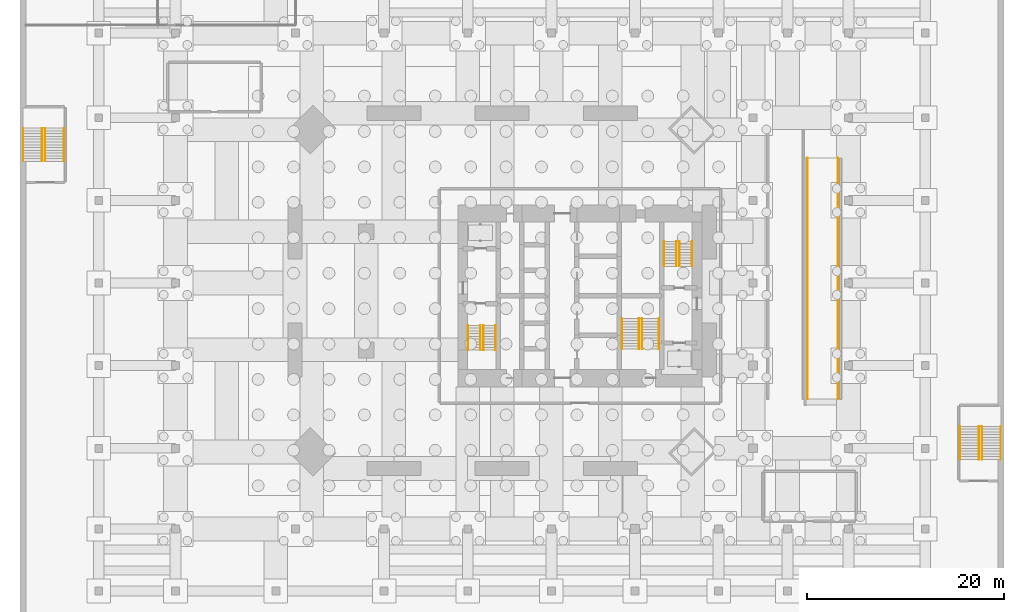
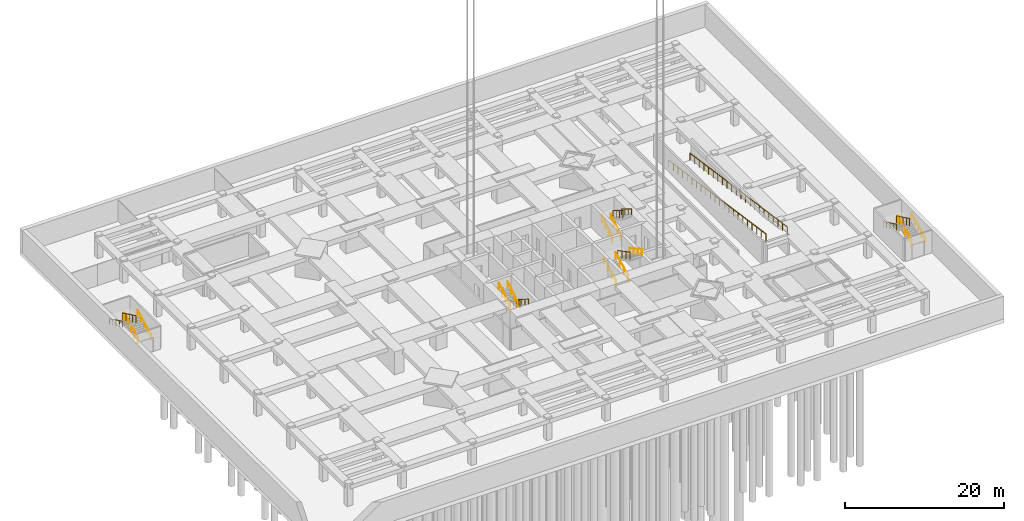
# One storey, part 14 of 15: 22 railings.
"""IFC4 building model written with IfcOpenShell, lengths in metres."""

from ifc_helpers import new_model, si_unit, direction, frame, origin, origin_2d, place, context, subcontext, project, spatial, rectangle, circle, extrude, material, constituent, constituent_set, type_object, element, save


model = new_model("IFC4")

# Units and contexts
model_context = context("Model", 3, precision=1e-05, world=origin(), true_north=direction((0.0, 1.0)))
body_context = subcontext(model_context, "Body", "Model", "MODEL_VIEW")
ifc_project = project(units=[si_unit("LENGTHUNIT", "METRE"), si_unit("AREAUNIT", "SQUARE_METRE"), si_unit("VOLUMEUNIT", "CUBIC_METRE"), si_unit("PLANEANGLEUNIT", "RADIAN"), si_unit("MASSUNIT", "GRAM", prefix="KILO")], contexts=[model_context])

# Site, building, storey
site_placement = place(None, origin())
site = spatial("IfcSite", under=ifc_project, at=site_placement, CompositionType="ELEMENT")
building_placement = place(site_placement, origin())
building = spatial("IfcBuilding", under=site, at=building_placement, Name="Jalousie Tower", CompositionType="ELEMENT")
storey_placement = place(building_placement, frame((0.0, 0.0, -7.5)))
storey = spatial("IfcBuildingStorey", under=building, at=storey_placement, Name="B2", CompositionType="ELEMENT", Elevation=-7.5)

# Railings
ifc_material_1 = material(Name="Steel ASTM A500 Grade C", Category="steel")
ifc_constituent_1 = constituent(ifc_material_1, Name="Body")
ifc_material_2 = material(Name="Hot-dip galvanised zinc coating")
ifc_constituent_2 = constituent(ifc_material_2, Name="Finish")
ifc_constituent_set_1 = constituent_set(constituents=[ifc_constituent_1, ifc_constituent_2])
railing_type_1 = type_object("IfcRailingType", Name="RAMP GUARD 1100", PredefinedType="GUARDRAIL", material=ifc_constituent_set_1)
railing_1_placement = place(storey_placement, frame((55.050048828125, 32.5, 0.0)))
element("IfcRailing", 1, at=railing_1_placement, inside=storey, type_object=railing_type_1, Name="Car ramp 2 edge guard west", PredefinedType="GUARDRAIL", context=body_context, shape_type="SweptSolid", body=[
    extrude(rectangle(XDim=0.048095703125, YDim=0.048095703125, at=origin_2d()), frame((0.0, 0.0, 1.076171875), z_axis=(0.0, -0.989949493661, 0.141421356237), x_axis=(1.0, 0.0, 0.0)), (0.0, 0.0, 1.0), 24.748779296875),
    extrude(circle(Radius=0.02099609375, at=origin_2d()), origin(), (0.0, 0.0, 1.0), 1.052001953125),
    extrude(circle(Radius=0.02099609375, at=origin_2d()), frame((0.0, -1.166748046875, 0.166748046875)), (0.0, 0.0, 1.0), 1.052001953125),
    extrude(circle(Radius=0.02099609375, at=origin_2d()), frame((0.0, -2.333251953125, 0.333251953125)), (0.0, 0.0, 1.0), 1.052001953125),
    extrude(circle(Radius=0.02099609375, at=origin_2d()), frame((0.0, -3.5, 0.5)), (0.0, 0.0, 1.0), 1.052001953125),
    extrude(circle(Radius=0.02099609375, at=origin_2d()), frame((0.0, -4.666748046875, 0.666748046875)), (0.0, 0.0, 1.0), 1.052001953125),
    extrude(circle(Radius=0.02099609375, at=origin_2d()), frame((0.0, -5.833251953125, 0.833251953125)), (0.0, 0.0, 1.0), 1.052001953125),
    extrude(circle(Radius=0.02099609375, at=origin_2d()), frame((0.0, -7.0, 1.0)), (0.0, 0.0, 1.0), 1.052001953125),
    extrude(circle(Radius=0.02099609375, at=origin_2d()), frame((0.0, -8.166748046875, 1.166748046875)), (0.0, 0.0, 1.0), 1.052001953125),
    extrude(circle(Radius=0.02099609375, at=origin_2d()), frame((0.0, -9.333251953125, 1.333251953125)), (0.0, 0.0, 1.0), 1.052001953125),
    extrude(circle(Radius=0.02099609375, at=origin_2d()), frame((0.0, -10.5, 1.5)), (0.0, 0.0, 1.0), 1.052001953125),
    extrude(circle(Radius=0.02099609375, at=origin_2d()), frame((0.0, -11.666748046875, 1.666748046875)), (0.0, 0.0, 1.0), 1.052001953125),
    extrude(circle(Radius=0.02099609375, at=origin_2d()), frame((0.0, -12.833251953125, 1.833251953125)), (0.0, 0.0, 1.0), 1.052001953125),
    extrude(circle(Radius=0.02099609375, at=origin_2d()), frame((0.0, -14.0, 2.0)), (0.0, 0.0, 1.0), 1.052001953125),
    extrude(circle(Radius=0.02099609375, at=origin_2d()), frame((0.0, -15.166748046875, 2.166748046875)), (0.0, 0.0, 1.0), 1.052001953125),
    extrude(circle(Radius=0.02099609375, at=origin_2d()), frame((0.0, -16.333251953125, 2.333251953125)), (0.0, 0.0, 1.0), 1.052001953125),
    extrude(circle(Radius=0.02099609375, at=origin_2d()), frame((0.0, -17.5, 2.5)), (0.0, 0.0, 1.0), 1.052001953125),
    extrude(circle(Radius=0.02099609375, at=origin_2d()), frame((0.0, -18.666748046875, 2.666748046875)), (0.0, 0.0, 1.0), 1.052001953125),
    extrude(circle(Radius=0.02099609375, at=origin_2d()), frame((0.0, -19.833251953125, 2.833251953125)), (0.0, 0.0, 1.0), 1.052001953125),
    extrude(circle(Radius=0.02099609375, at=origin_2d()), frame((0.0, -21.0, 3.0)), (0.0, 0.0, 1.0), 1.052001953125),
    extrude(circle(Radius=0.02099609375, at=origin_2d()), frame((0.0, -22.166748046875, 3.166748046875)), (0.0, 0.0, 1.0), 1.052001953125),
    extrude(circle(Radius=0.02099609375, at=origin_2d()), frame((0.0, -23.333251953125, 3.333251953125)), (0.0, 0.0, 1.0), 1.052001953125),
    extrude(circle(Radius=0.02099609375, at=origin_2d()), frame((0.0, -24.5, 3.5)), (0.0, 0.0, 1.0), 1.052001953125),
])
railing_2_placement = place(storey_placement, frame((58.14990234375, 32.5, 0.0)))
element("IfcRailing", 2, at=railing_2_placement, inside=storey, type_object=railing_type_1, Name="Car ramp 2 edge guard east", PredefinedType="GUARDRAIL", context=body_context, shape_type="SweptSolid", body=[
    extrude(rectangle(XDim=0.048095703125, YDim=0.048095703125, at=origin_2d()), frame((0.0, 0.0, 1.076171875), z_axis=(0.0, -0.989949493661, 0.141421356237), x_axis=(1.0, 0.0, 0.0)), (0.0, 0.0, 1.0), 24.748779296875),
    extrude(circle(Radius=0.02099609375, at=origin_2d()), origin(), (0.0, 0.0, 1.0), 1.052001953125),
    extrude(circle(Radius=0.02099609375, at=origin_2d()), frame((0.0, -1.166748046875, 0.166748046875)), (0.0, 0.0, 1.0), 1.052001953125),
    extrude(circle(Radius=0.02099609375, at=origin_2d()), frame((0.0, -2.333251953125, 0.333251953125)), (0.0, 0.0, 1.0), 1.052001953125),
    extrude(circle(Radius=0.02099609375, at=origin_2d()), frame((0.0, -3.5, 0.5)), (0.0, 0.0, 1.0), 1.052001953125),
    extrude(circle(Radius=0.02099609375, at=origin_2d()), frame((0.0, -4.666748046875, 0.666748046875)), (0.0, 0.0, 1.0), 1.052001953125),
    extrude(circle(Radius=0.02099609375, at=origin_2d()), frame((0.0, -5.833251953125, 0.833251953125)), (0.0, 0.0, 1.0), 1.052001953125),
    extrude(circle(Radius=0.02099609375, at=origin_2d()), frame((0.0, -7.0, 1.0)), (0.0, 0.0, 1.0), 1.052001953125),
    extrude(circle(Radius=0.02099609375, at=origin_2d()), frame((0.0, -8.166748046875, 1.166748046875)), (0.0, 0.0, 1.0), 1.052001953125),
    extrude(circle(Radius=0.02099609375, at=origin_2d()), frame((0.0, -9.333251953125, 1.333251953125)), (0.0, 0.0, 1.0), 1.052001953125),
    extrude(circle(Radius=0.02099609375, at=origin_2d()), frame((0.0, -10.5, 1.5)), (0.0, 0.0, 1.0), 1.052001953125),
    extrude(circle(Radius=0.02099609375, at=origin_2d()), frame((0.0, -11.666748046875, 1.666748046875)), (0.0, 0.0, 1.0), 1.052001953125),
    extrude(circle(Radius=0.02099609375, at=origin_2d()), frame((0.0, -12.833251953125, 1.833251953125)), (0.0, 0.0, 1.0), 1.052001953125),
    extrude(circle(Radius=0.02099609375, at=origin_2d()), frame((0.0, -14.0, 2.0)), (0.0, 0.0, 1.0), 1.052001953125),
    extrude(circle(Radius=0.02099609375, at=origin_2d()), frame((0.0, -15.166748046875, 2.166748046875)), (0.0, 0.0, 1.0), 1.052001953125),
    extrude(circle(Radius=0.02099609375, at=origin_2d()), frame((0.0, -16.333251953125, 2.333251953125)), (0.0, 0.0, 1.0), 1.052001953125),
    extrude(circle(Radius=0.02099609375, at=origin_2d()), frame((0.0, -17.5, 2.5)), (0.0, 0.0, 1.0), 1.052001953125),
    extrude(circle(Radius=0.02099609375, at=origin_2d()), frame((0.0, -18.666748046875, 2.666748046875)), (0.0, 0.0, 1.0), 1.052001953125),
    extrude(circle(Radius=0.02099609375, at=origin_2d()), frame((0.0, -19.833251953125, 2.833251953125)), (0.0, 0.0, 1.0), 1.052001953125),
    extrude(circle(Radius=0.02099609375, at=origin_2d()), frame((0.0, -21.0, 3.0)), (0.0, 0.0, 1.0), 1.052001953125),
    extrude(circle(Radius=0.02099609375, at=origin_2d()), frame((0.0, -22.166748046875, 3.166748046875)), (0.0, 0.0, 1.0), 1.052001953125),
    extrude(circle(Radius=0.02099609375, at=origin_2d()), frame((0.0, -23.333251953125, 3.333251953125)), (0.0, 0.0, 1.0), 1.052001953125),
    extrude(circle(Radius=0.02099609375, at=origin_2d()), frame((0.0, -24.5, 3.5)), (0.0, 0.0, 1.0), 1.052001953125),
])
ifc_material_3 = material(Name="Steel ASTM A500 Grade C", Category="steel")
ifc_constituent_3 = constituent(ifc_material_3, Name="Body")
ifc_material_4 = material(Name="Hot-dip galvanised zinc coating")
ifc_constituent_4 = constituent(ifc_material_4, Name="Finish")
ifc_constituent_set_2 = constituent_set(constituents=[ifc_constituent_3, ifc_constituent_4])
railing_type_2 = type_object("IfcRailingType", Name="STAIR GUARD 1100", PredefinedType="GUARDRAIL", material=ifc_constituent_set_2)
railing_3_placement = place(storey_placement, frame((22.092529296875, 15.49755859375, 0.175048828125)))
element("IfcRailing", 3, at=railing_3_placement, inside=storey, type_object=railing_type_2, Name="Exit stair A guard B2 flight 1", PredefinedType="GUARDRAIL", context=body_context, shape_type="SweptSolid", body=[
    extrude(rectangle(XDim=0.048095703125, YDim=0.048095703125, at=origin_2d()), frame((0.0, 0.0, 1.076171875), z_axis=(0.0, -0.848007534815, 0.529984170421), x_axis=(1.0, 0.0, 0.0)), (0.0, 0.0, 1.0), 2.9716796875),
    extrude(circle(Radius=0.02099609375, at=origin_2d()), origin(), (0.0, 0.0, 1.0), 1.052001953125),
    extrude(circle(Radius=0.02099609375, at=origin_2d()), frame((0.0, -0.840087890625, 0.52490234375)), (0.0, 0.0, 1.0), 1.052001953125),
    extrude(circle(Radius=0.02099609375, at=origin_2d()), frame((0.0, -1.679931640625, 1.050048828125)), (0.0, 0.0, 1.0), 1.052001953125),
    extrude(circle(Radius=0.02099609375, at=origin_2d()), frame((0.0, -2.52001953125, 1.574951171875)), (0.0, 0.0, 1.0), 1.052001953125),
])
for number, where, name in (
    (4, (20.52978515625, 12.9775390625, 1.925048828125), "Exit stair A guard B2 flight 2"),
    (5, (40.455078125, 21.50244140625, 0.175048828125), "Exit stair B guard B2 flight 1"),
):
    element("IfcRailing", number, at=place(storey_placement, frame(where)), inside=storey, type_object=railing_type_2, Name=name, PredefinedType="GUARDRAIL", context=body_context, shape_type="SweptSolid", body=[
        extrude(rectangle(XDim=0.048095703125, YDim=0.048095703125, at=origin_2d()), frame((0.0, 0.0, 1.076171875), z_axis=(0.0, 0.848007534815, 0.529984170421), x_axis=(-1.0, 0.0, 0.0)), (0.0, 0.0, 1.0), 2.9716796875),
        extrude(circle(Radius=0.02099609375, at=origin_2d()), origin(), (0.0, 0.0, 1.0), 1.052001953125),
        extrude(circle(Radius=0.02099609375, at=origin_2d()), frame((0.0, 0.840087890625, 0.52490234375)), (0.0, 0.0, 1.0), 1.052001953125),
        extrude(circle(Radius=0.02099609375, at=origin_2d()), frame((0.0, 1.679931640625, 1.050048828125)), (0.0, 0.0, 1.0), 1.052001953125),
        extrude(circle(Radius=0.02099609375, at=origin_2d()), frame((0.0, 2.52001953125, 1.574951171875)), (0.0, 0.0, 1.0), 1.052001953125),
    ])
railing_4_placement = place(storey_placement, frame((42.017578125, 24.0224609375, 1.925048828125)))
element("IfcRailing", 6, at=railing_4_placement, inside=storey, type_object=railing_type_2, Name="Exit stair B guard B2 flight 2", PredefinedType="GUARDRAIL", context=body_context, shape_type="SweptSolid", body=[
    extrude(rectangle(XDim=0.048095703125, YDim=0.048095703125, at=origin_2d()), frame((0.0, 0.0, 1.076171875), z_axis=(0.0, -0.848007534815, 0.529984170421), x_axis=(1.0, 0.0, 0.0)), (0.0, 0.0, 1.0), 2.9716796875),
    extrude(circle(Radius=0.02099609375, at=origin_2d()), origin(), (0.0, 0.0, 1.0), 1.052001953125),
    extrude(circle(Radius=0.02099609375, at=origin_2d()), frame((0.0, -0.840087890625, 0.52490234375)), (0.0, 0.0, 1.0), 1.052001953125),
    extrude(circle(Radius=0.02099609375, at=origin_2d()), frame((0.0, -1.679931640625, 1.050048828125)), (0.0, 0.0, 1.0), 1.052001953125),
    extrude(circle(Radius=0.02099609375, at=origin_2d()), frame((0.0, -2.52001953125, 1.574951171875)), (0.0, 0.0, 1.0), 1.052001953125),
])
railing_5_placement = place(storey_placement, frame((37.89501953125, 13.097412109375, 0.145751953125)))
element("IfcRailing", 7, at=railing_5_placement, inside=storey, type_object=railing_type_2, Name="Exit stair C guard B2 flight 1", PredefinedType="GUARDRAIL", context=body_context, shape_type="SweptSolid", body=[
    extrude(rectangle(XDim=0.048095703125, YDim=0.048095703125, at=origin_2d()), frame((0.0, 0.0, 1.076171875), z_axis=(0.0, 0.886909283822, 0.461943635383), x_axis=(-1.0, 0.0, 0.0)), (0.0, 0.0, 1.0), 3.472900390625),
    extrude(circle(Radius=0.02099609375, at=origin_2d()), origin(), (0.0, 0.0, 1.0), 1.052001953125),
    extrude(circle(Radius=0.02099609375, at=origin_2d()), frame((0.0, 1.026611328125, 0.53466796875)), (0.0, 0.0, 1.0), 1.052001953125),
    extrude(circle(Radius=0.02099609375, at=origin_2d()), frame((0.0, 2.053466796875, 1.069580078125)), (0.0, 0.0, 1.0), 1.052001953125),
    extrude(circle(Radius=0.02099609375, at=origin_2d()), frame((0.0, 3.080078125, 1.604248046875)), (0.0, 0.0, 1.0), 1.052001953125),
])
railing_6_placement = place(storey_placement, frame((38.205078125, 16.177490234375, 1.895751953125)))
element("IfcRailing", 8, at=railing_6_placement, inside=storey, type_object=railing_type_2, Name="Exit stair C guard B2 flight 2", PredefinedType="GUARDRAIL", context=body_context, shape_type="SweptSolid", body=[
    extrude(rectangle(XDim=0.048095703125, YDim=0.048095703125, at=origin_2d()), frame((0.0, 0.0, 1.076171875), z_axis=(0.0, -0.886909283822, 0.461943635383), x_axis=(1.0, 0.0, 0.0)), (0.0, 0.0, 1.0), 3.472900390625),
    extrude(circle(Radius=0.02099609375, at=origin_2d()), origin(), (0.0, 0.0, 1.0), 1.052001953125),
    extrude(circle(Radius=0.02099609375, at=origin_2d()), frame((0.0, -1.026611328125, 0.53466796875)), (0.0, 0.0, 1.0), 1.052001953125),
    extrude(circle(Radius=0.02099609375, at=origin_2d()), frame((0.0, -2.053466796875, 1.069580078125)), (0.0, 0.0, 1.0), 1.052001953125),
    extrude(circle(Radius=0.02099609375, at=origin_2d()), frame((0.0, -3.080078125, 1.604248046875)), (0.0, 0.0, 1.0), 1.052001953125),
])
railing_7_placement = place(storey_placement, frame((-22.445068359375, 32.169921875, 0.134521484375)))
element("IfcRailing", 9, at=railing_7_placement, inside=storey, type_object=railing_type_2, Name="Exit stair BS1 guard B2 flight 1", PredefinedType="GUARDRAIL", context=body_context, shape_type="SweptSolid", body=[
    extrude(rectangle(XDim=0.048095703125, YDim=0.048095703125, at=origin_2d()), frame((0.0, 0.0, 1.076171875), z_axis=(0.0, 0.901247998595, 0.433303640682), x_axis=(-1.0, 0.0, 0.0)), (0.0, 0.0, 1.0), 3.728271484375),
    extrude(circle(Radius=0.02099609375, at=origin_2d()), origin(), (0.0, 0.0, 1.0), 1.052001953125),
    extrude(circle(Radius=0.02099609375, at=origin_2d()), frame((0.0, 0.840087890625, 0.40380859375)), (0.0, 0.0, 1.0), 1.052001953125),
    extrude(circle(Radius=0.02099609375, at=origin_2d()), frame((0.0, 1.68017578125, 0.8076171875)), (0.0, 0.0, 1.0), 1.052001953125),
    extrude(circle(Radius=0.02099609375, at=origin_2d()), frame((0.0, 2.52001953125, 1.211669921875)), (0.0, 0.0, 1.0), 1.052001953125),
    extrude(circle(Radius=0.02099609375, at=origin_2d()), frame((0.0, 3.360107421875, 1.615478515625)), (0.0, 0.0, 1.0), 1.052001953125),
])
railing_8_placement = place(storey_placement, frame((-22.7548828125, 35.530029296875, 1.884521484375)))
element("IfcRailing", 10, at=railing_8_placement, inside=storey, type_object=railing_type_2, Name="Exit stair BS1 guard B2 flight 2", PredefinedType="GUARDRAIL", context=body_context, shape_type="SweptSolid", body=[
    extrude(rectangle(XDim=0.048095703125, YDim=0.048095703125, at=origin_2d()), frame((0.0, 0.0, 1.076171875), z_axis=(0.0, -0.901247998595, 0.433303640682), x_axis=(1.0, 0.0, 0.0)), (0.0, 0.0, 1.0), 3.728271484375),
    extrude(circle(Radius=0.02099609375, at=origin_2d()), origin(), (0.0, 0.0, 1.0), 1.052001953125),
    extrude(circle(Radius=0.02099609375, at=origin_2d()), frame((0.0, -0.840087890625, 0.40380859375)), (0.0, 0.0, 1.0), 1.052001953125),
    extrude(circle(Radius=0.02099609375, at=origin_2d()), frame((0.0, -1.68017578125, 0.8076171875)), (0.0, 0.0, 1.0), 1.052001953125),
    extrude(circle(Radius=0.02099609375, at=origin_2d()), frame((0.0, -2.52001953125, 1.211669921875)), (0.0, 0.0, 1.0), 1.052001953125),
    extrude(circle(Radius=0.02099609375, at=origin_2d()), frame((0.0, -3.360107421875, 1.615478515625)), (0.0, 0.0, 1.0), 1.052001953125),
])
railing_9_placement = place(storey_placement, frame((72.7548828125, 1.8701171875, 0.134521484375)))
element("IfcRailing", 11, at=railing_9_placement, inside=storey, type_object=railing_type_2, Name="Exit stair BS2 guard B2 flight 1", PredefinedType="GUARDRAIL", context=body_context, shape_type="SweptSolid", body=[
    extrude(rectangle(XDim=0.048095703125, YDim=0.048095703125, at=origin_2d()), frame((0.0, 0.0, 1.076171875), z_axis=(0.0, 0.901235702865, 0.433329214203), x_axis=(-1.0, 0.0, 0.0)), (0.0, 0.0, 1.0), 3.72802734375),
    extrude(circle(Radius=0.02099609375, at=origin_2d()), origin(), (0.0, 0.0, 1.0), 1.052001953125),
    extrude(circle(Radius=0.02099609375, at=origin_2d()), frame((0.0, 0.83984375, 0.40380859375)), (0.0, 0.0, 1.0), 1.052001953125),
    extrude(circle(Radius=0.02099609375, at=origin_2d()), frame((0.0, 1.679931640625, 0.8076171875)), (0.0, 0.0, 1.0), 1.052001953125),
    extrude(circle(Radius=0.02099609375, at=origin_2d()), frame((0.0, 2.52001953125, 1.211669921875)), (0.0, 0.0, 1.0), 1.052001953125),
    extrude(circle(Radius=0.02099609375, at=origin_2d()), frame((0.0, 3.35986328125, 1.615478515625)), (0.0, 0.0, 1.0), 1.052001953125),
])
railing_10_placement = place(storey_placement, frame((72.445068359375, 5.22998046875, 1.884521484375)))
element("IfcRailing", 12, at=railing_10_placement, inside=storey, type_object=railing_type_2, Name="Exit stair BS2 guard B2 flight 2", PredefinedType="GUARDRAIL", context=body_context, shape_type="SweptSolid", body=[
    extrude(rectangle(XDim=0.048095703125, YDim=0.048095703125, at=origin_2d()), frame((0.0, 0.0, 1.076171875), z_axis=(0.0, -0.901235702865, 0.433329214203), x_axis=(1.0, 0.0, 0.0)), (0.0, 0.0, 1.0), 3.72802734375),
    extrude(circle(Radius=0.02099609375, at=origin_2d()), origin(), (0.0, 0.0, 1.0), 1.052001953125),
    extrude(circle(Radius=0.02099609375, at=origin_2d()), frame((0.0, -0.83984375, 0.40380859375)), (0.0, 0.0, 1.0), 1.052001953125),
    extrude(circle(Radius=0.02099609375, at=origin_2d()), frame((0.0, -1.679931640625, 0.8076171875)), (0.0, 0.0, 1.0), 1.052001953125),
    extrude(circle(Radius=0.02099609375, at=origin_2d()), frame((0.0, -2.52001953125, 1.211669921875)), (0.0, 0.0, 1.0), 1.052001953125),
    extrude(circle(Radius=0.02099609375, at=origin_2d()), frame((0.0, -3.35986328125, 1.615478515625)), (0.0, 0.0, 1.0), 1.052001953125),
])
ifc_material_5 = material(Name="Steel ASTM A500 Grade C", Category="steel")
ifc_constituent_5 = constituent(ifc_material_5, Name="Body")
ifc_material_6 = material(Name="Hot-dip galvanised zinc coating")
ifc_constituent_6 = constituent(ifc_material_6, Name="Finish")
ifc_constituent_set_3 = constituent_set(constituents=[ifc_constituent_5, ifc_constituent_6])
railing_type_3 = type_object("IfcRailingType", Name="STAIR HANDRAIL 900", PredefinedType="HANDRAIL", material=ifc_constituent_set_3)
railing_11_placement = place(storey_placement, frame((23.34521484375, 15.49755859375, 0.175048828125)))
element("IfcRailing", 13, at=railing_11_placement, inside=storey, type_object=railing_type_3, Name="Exit stair A handrail B2 flight 1", PredefinedType="HANDRAIL", context=body_context, shape_type="SweptSolid", body=[
    extrude(circle(Radius=0.02392578125, at=origin_2d()), frame((0.0, 0.0, 0.8759765625), z_axis=(0.0, -0.848007534815, 0.529984170421), x_axis=(1.0, 0.0, 0.0)), (0.0, 0.0, 1.0), 2.9716796875),
    extrude(circle(Radius=0.02099609375, at=origin_2d()), origin(), (0.0, 0.0, 1.0), 0.851806640625),
    extrude(circle(Radius=0.02099609375, at=origin_2d()), frame((0.0, -0.840087890625, 0.52490234375)), (0.0, 0.0, 1.0), 0.851806640625),
    extrude(circle(Radius=0.02099609375, at=origin_2d()), frame((0.0, -1.679931640625, 1.050048828125)), (0.0, 0.0, 1.0), 0.851806640625),
    extrude(circle(Radius=0.02099609375, at=origin_2d()), frame((0.0, -2.52001953125, 1.574951171875)), (0.0, 0.0, 1.0), 0.851806640625),
])
for number, where, name in (
    (14, (21.782470703125, 12.9775390625, 1.925048828125), "Exit stair A handrail B2 flight 2"),
    (15, (41.70751953125, 21.50244140625, 0.175048828125), "Exit stair B handrail B2 flight 1"),
):
    element("IfcRailing", number, at=place(storey_placement, frame(where)), inside=storey, type_object=railing_type_3, Name=name, PredefinedType="HANDRAIL", context=body_context, shape_type="SweptSolid", body=[
        extrude(circle(Radius=0.02392578125, at=origin_2d()), frame((0.0, 0.0, 0.8759765625), z_axis=(0.0, 0.848007534815, 0.529984170421), x_axis=(-1.0, 0.0, 0.0)), (0.0, 0.0, 1.0), 2.9716796875),
        extrude(circle(Radius=0.02099609375, at=origin_2d()), origin(), (0.0, 0.0, 1.0), 0.851806640625),
        extrude(circle(Radius=0.02099609375, at=origin_2d()), frame((0.0, 0.840087890625, 0.52490234375)), (0.0, 0.0, 1.0), 0.851806640625),
        extrude(circle(Radius=0.02099609375, at=origin_2d()), frame((0.0, 1.679931640625, 1.050048828125)), (0.0, 0.0, 1.0), 0.851806640625),
        extrude(circle(Radius=0.02099609375, at=origin_2d()), frame((0.0, 2.52001953125, 1.574951171875)), (0.0, 0.0, 1.0), 0.851806640625),
    ])
railing_12_placement = place(storey_placement, frame((43.27001953125, 24.0224609375, 1.925048828125)))
element("IfcRailing", 16, at=railing_12_placement, inside=storey, type_object=railing_type_3, Name="Exit stair B handrail B2 flight 2", PredefinedType="HANDRAIL", context=body_context, shape_type="SweptSolid", body=[
    extrude(circle(Radius=0.02392578125, at=origin_2d()), frame((0.0, 0.0, 0.8759765625), z_axis=(0.0, -0.848007534815, 0.529984170421), x_axis=(1.0, 0.0, 0.0)), (0.0, 0.0, 1.0), 2.9716796875),
    extrude(circle(Radius=0.02099609375, at=origin_2d()), origin(), (0.0, 0.0, 1.0), 0.851806640625),
    extrude(circle(Radius=0.02099609375, at=origin_2d()), frame((0.0, -0.840087890625, 0.52490234375)), (0.0, 0.0, 1.0), 0.851806640625),
    extrude(circle(Radius=0.02099609375, at=origin_2d()), frame((0.0, -1.679931640625, 1.050048828125)), (0.0, 0.0, 1.0), 0.851806640625),
    extrude(circle(Radius=0.02099609375, at=origin_2d()), frame((0.0, -2.52001953125, 1.574951171875)), (0.0, 0.0, 1.0), 0.851806640625),
])
railing_13_placement = place(storey_placement, frame((36.155029296875, 13.097412109375, 0.145751953125)))
element("IfcRailing", 17, at=railing_13_placement, inside=storey, type_object=railing_type_3, Name="Exit stair C handrail B2 flight 1", PredefinedType="HANDRAIL", context=body_context, shape_type="SweptSolid", body=[
    extrude(circle(Radius=0.02392578125, at=origin_2d()), frame((0.0, 0.0, 0.8759765625), z_axis=(0.0, 0.886909283822, 0.461943635383), x_axis=(-1.0, 0.0, 0.0)), (0.0, 0.0, 1.0), 3.472900390625),
    extrude(circle(Radius=0.02099609375, at=origin_2d()), origin(), (0.0, 0.0, 1.0), 0.851806640625),
    extrude(circle(Radius=0.02099609375, at=origin_2d()), frame((0.0, 1.026611328125, 0.53466796875)), (0.0, 0.0, 1.0), 0.851806640625),
    extrude(circle(Radius=0.02099609375, at=origin_2d()), frame((0.0, 2.053466796875, 1.069580078125)), (0.0, 0.0, 1.0), 0.851806640625),
    extrude(circle(Radius=0.02099609375, at=origin_2d()), frame((0.0, 3.080078125, 1.604248046875)), (0.0, 0.0, 1.0), 0.851806640625),
])
railing_14_placement = place(storey_placement, frame((39.945068359375, 16.177490234375, 1.895751953125)))
element("IfcRailing", 18, at=railing_14_placement, inside=storey, type_object=railing_type_3, Name="Exit stair C handrail B2 flight 2", PredefinedType="HANDRAIL", context=body_context, shape_type="SweptSolid", body=[
    extrude(circle(Radius=0.02392578125, at=origin_2d()), frame((0.0, 0.0, 0.8759765625), z_axis=(0.0, -0.886909283822, 0.461943635383), x_axis=(1.0, 0.0, 0.0)), (0.0, 0.0, 1.0), 3.472900390625),
    extrude(circle(Radius=0.02099609375, at=origin_2d()), origin(), (0.0, 0.0, 1.0), 0.851806640625),
    extrude(circle(Radius=0.02099609375, at=origin_2d()), frame((0.0, -1.026611328125, 0.53466796875)), (0.0, 0.0, 1.0), 0.851806640625),
    extrude(circle(Radius=0.02099609375, at=origin_2d()), frame((0.0, -2.053466796875, 1.069580078125)), (0.0, 0.0, 1.0), 0.851806640625),
    extrude(circle(Radius=0.02099609375, at=origin_2d()), frame((0.0, -3.080078125, 1.604248046875)), (0.0, 0.0, 1.0), 0.851806640625),
])
railing_15_placement = place(storey_placement, frame((-20.530029296875, 32.169921875, 0.134521484375)))
element("IfcRailing", 19, at=railing_15_placement, inside=storey, type_object=railing_type_3, Name="Exit stair BS1 handrail B2 flight 1", PredefinedType="HANDRAIL", context=body_context, shape_type="SweptSolid", body=[
    extrude(circle(Radius=0.02392578125, at=origin_2d()), frame((0.0, 0.0, 0.8759765625), z_axis=(0.0, 0.901247998595, 0.433303640682), x_axis=(-1.0, 0.0, 0.0)), (0.0, 0.0, 1.0), 3.728271484375),
    extrude(circle(Radius=0.02099609375, at=origin_2d()), origin(), (0.0, 0.0, 1.0), 0.851806640625),
    extrude(circle(Radius=0.02099609375, at=origin_2d()), frame((0.0, 0.840087890625, 0.40380859375)), (0.0, 0.0, 1.0), 0.851806640625),
    extrude(circle(Radius=0.02099609375, at=origin_2d()), frame((0.0, 1.68017578125, 0.8076171875)), (0.0, 0.0, 1.0), 0.851806640625),
    extrude(circle(Radius=0.02099609375, at=origin_2d()), frame((0.0, 2.52001953125, 1.211669921875)), (0.0, 0.0, 1.0), 0.851806640625),
    extrude(circle(Radius=0.02099609375, at=origin_2d()), frame((0.0, 3.360107421875, 1.615478515625)), (0.0, 0.0, 1.0), 0.851806640625),
])
railing_16_placement = place(storey_placement, frame((-24.669921875, 35.530029296875, 1.884521484375)))
element("IfcRailing", 20, at=railing_16_placement, inside=storey, type_object=railing_type_3, Name="Exit stair BS1 handrail B2 flight 2", PredefinedType="HANDRAIL", context=body_context, shape_type="SweptSolid", body=[
    extrude(circle(Radius=0.02392578125, at=origin_2d()), frame((0.0, 0.0, 0.8759765625), z_axis=(0.0, -0.901247998595, 0.433303640682), x_axis=(1.0, 0.0, 0.0)), (0.0, 0.0, 1.0), 3.728271484375),
    extrude(circle(Radius=0.02099609375, at=origin_2d()), origin(), (0.0, 0.0, 1.0), 0.851806640625),
    extrude(circle(Radius=0.02099609375, at=origin_2d()), frame((0.0, -0.840087890625, 0.40380859375)), (0.0, 0.0, 1.0), 0.851806640625),
    extrude(circle(Radius=0.02099609375, at=origin_2d()), frame((0.0, -1.68017578125, 0.8076171875)), (0.0, 0.0, 1.0), 0.851806640625),
    extrude(circle(Radius=0.02099609375, at=origin_2d()), frame((0.0, -2.52001953125, 1.211669921875)), (0.0, 0.0, 1.0), 0.851806640625),
    extrude(circle(Radius=0.02099609375, at=origin_2d()), frame((0.0, -3.360107421875, 1.615478515625)), (0.0, 0.0, 1.0), 0.851806640625),
])
railing_17_placement = place(storey_placement, frame((74.669921875, 1.8701171875, 0.134521484375)))
element("IfcRailing", 21, at=railing_17_placement, inside=storey, type_object=railing_type_3, Name="Exit stair BS2 handrail B2 flight 1", PredefinedType="HANDRAIL", context=body_context, shape_type="SweptSolid", body=[
    extrude(circle(Radius=0.02392578125, at=origin_2d()), frame((0.0, 0.0, 0.8759765625), z_axis=(0.0, 0.901235702865, 0.433329214203), x_axis=(-1.0, 0.0, 0.0)), (0.0, 0.0, 1.0), 3.72802734375),
    extrude(circle(Radius=0.02099609375, at=origin_2d()), origin(), (0.0, 0.0, 1.0), 0.851806640625),
    extrude(circle(Radius=0.02099609375, at=origin_2d()), frame((0.0, 0.83984375, 0.40380859375)), (0.0, 0.0, 1.0), 0.851806640625),
    extrude(circle(Radius=0.02099609375, at=origin_2d()), frame((0.0, 1.679931640625, 0.8076171875)), (0.0, 0.0, 1.0), 0.851806640625),
    extrude(circle(Radius=0.02099609375, at=origin_2d()), frame((0.0, 2.52001953125, 1.211669921875)), (0.0, 0.0, 1.0), 0.851806640625),
    extrude(circle(Radius=0.02099609375, at=origin_2d()), frame((0.0, 3.35986328125, 1.615478515625)), (0.0, 0.0, 1.0), 0.851806640625),
])
railing_18_placement = place(storey_placement, frame((70.530029296875, 5.22998046875, 1.884521484375)))
element("IfcRailing", 22, at=railing_18_placement, inside=storey, type_object=railing_type_3, Name="Exit stair BS2 handrail B2 flight 2", PredefinedType="HANDRAIL", context=body_context, shape_type="SweptSolid", body=[
    extrude(circle(Radius=0.02392578125, at=origin_2d()), frame((0.0, 0.0, 0.8759765625), z_axis=(0.0, -0.901235702865, 0.433329214203), x_axis=(1.0, 0.0, 0.0)), (0.0, 0.0, 1.0), 3.72802734375),
    extrude(circle(Radius=0.02099609375, at=origin_2d()), origin(), (0.0, 0.0, 1.0), 0.851806640625),
    extrude(circle(Radius=0.02099609375, at=origin_2d()), frame((0.0, -0.83984375, 0.40380859375)), (0.0, 0.0, 1.0), 0.851806640625),
    extrude(circle(Radius=0.02099609375, at=origin_2d()), frame((0.0, -1.679931640625, 0.8076171875)), (0.0, 0.0, 1.0), 0.851806640625),
    extrude(circle(Radius=0.02099609375, at=origin_2d()), frame((0.0, -2.52001953125, 1.211669921875)), (0.0, 0.0, 1.0), 0.851806640625),
    extrude(circle(Radius=0.02099609375, at=origin_2d()), frame((0.0, -3.35986328125, 1.615478515625)), (0.0, 0.0, 1.0), 0.851806640625),
])

save(model, "model.ifc")
